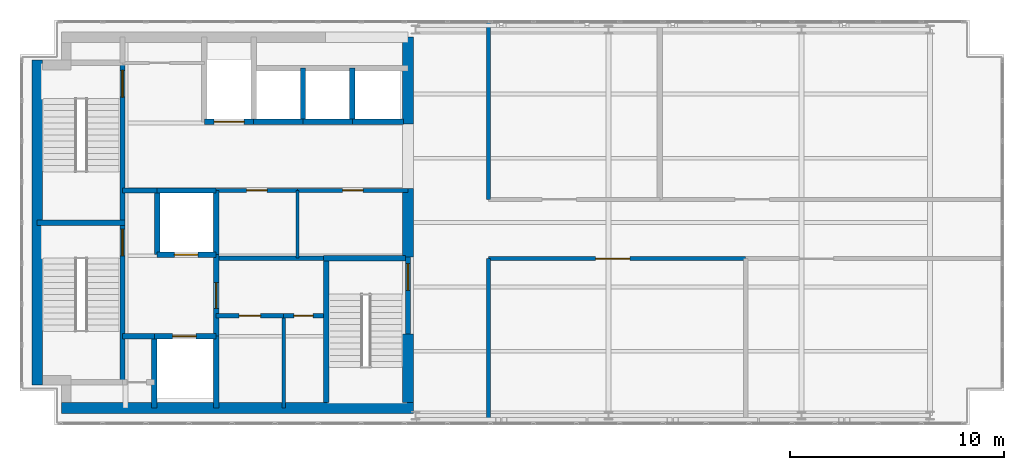
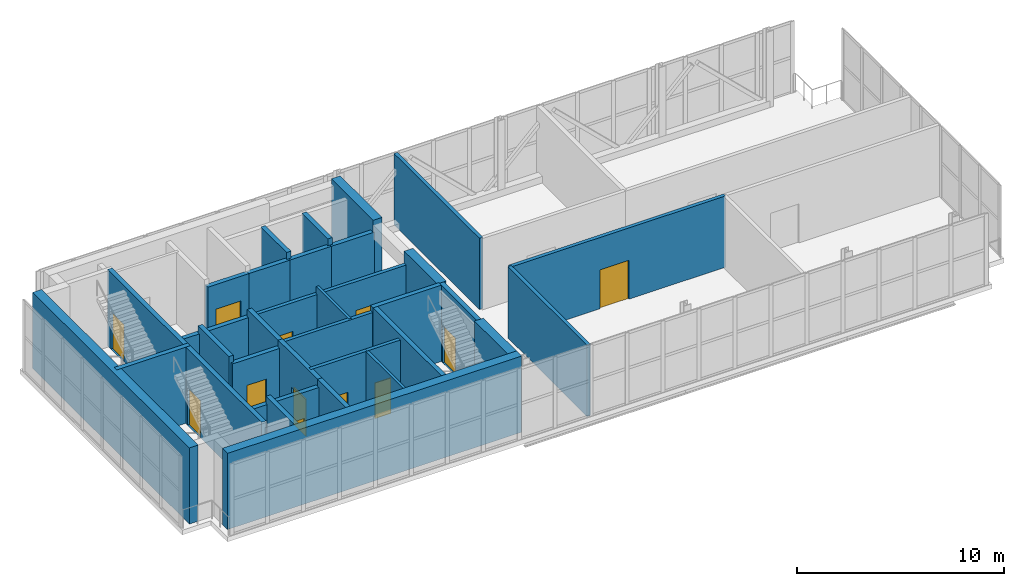
# One storey, part 18 of 21: 37 walls, 12 doors, 12 openings.
"""IFC4 building model written with IfcOpenShell, lengths in metres."""

from ifc_helpers import new_model, si_unit, direction, frame, frame_2d, origin, place, context, subcontext, project, spatial, rectangle, extrude, material, layer, layer_set, type_object, element, fill, save


model = new_model("IFC4")

# Units and contexts
model_context = context("Model", 3, precision=1e-05, world=origin(), true_north=direction((0.0, 1.0)))
body_context = subcontext(model_context, "Body", "Model", "MODEL_VIEW")
ifc_project = project(units=[si_unit("LENGTHUNIT", "METRE"), si_unit("AREAUNIT", "SQUARE_METRE"), si_unit("VOLUMEUNIT", "CUBIC_METRE"), si_unit("PLANEANGLEUNIT", "RADIAN"), si_unit("MASSUNIT", "GRAM", prefix="KILO")], contexts=[model_context])

# Site, building, storey
site_placement = place(None, origin())
site = spatial("IfcSite", under=ifc_project, at=site_placement, CompositionType="ELEMENT")
building_placement = place(site_placement, origin())
building = spatial("IfcBuilding", under=site, at=building_placement, Name="Mawjdan Bourse Tower", CompositionType="ELEMENT")
storey_placement = place(building_placement, frame((0.0, 0.0, 313.199951171875)))
storey = spatial("IfcBuildingStorey", under=building, at=storey_placement, Name="L77", CompositionType="ELEMENT", Elevation=313.199951171875)

# Wall, opening, door
ifc_material_1 = material(Name="Gypsum Fireboard Assembly")
ifc_layer_1 = layer(ifc_material_1, 0.199951171875)
ifc_layer_set_1 = layer_set([ifc_layer_1], Name="Gypsum Fireboard Assembly")
wall_type_1 = type_object("IfcWallType", Name="WL-CMP-200", PredefinedType="PARTITIONING", material=ifc_layer_set_1)
wall_1_placement = place(storey_placement, frame((14.699951171875, 7.659912109375, 0.0), z_axis=(0.0, 0.0, 1.0), x_axis=(1.0, 0.0, 0.0)))
wall_1 = element("IfcWall", 1, at=wall_1_placement, inside=storey, type_object=wall_type_1, Name="L77 Prayer & Quiet Reflection Room North Wall", PredefinedType="PARTITIONING", context=body_context, shape_type="SweptSolid", body=[
    extrude(rectangle(XDim=3.150146484375, YDim=0.199951171875, at=frame_2d((1.5751953125, 0.0))), origin(), (0.0, 0.0, 1.0), 4.2099609375),
])
opening_1_placement = place(wall_1_placement, frame((1.074951171875, 0.0, 0.0)))
opening_1 = element("IfcOpeningElement", 2, at=opening_1_placement, cuts=wall_1, Name="Opening D-L77-10", PredefinedType="OPENING", context=body_context, shape_type="SweptSolid", body=[
    extrude(rectangle(XDim=1.0, YDim=2.14990234375, at=frame_2d((0.5, 1.074951171875))), frame((0.0, 0.10986328125, 0.0), z_axis=(0.0, -1.0, 0.0), x_axis=(1.0, 0.0, 0.0)), (0.0, 0.0, 1.0), 0.219970703125),
])
ifc_material_2 = material(Name="Hardwood Acoustic Leaf", Category="wood")
door_type_1 = type_object("IfcDoorType", Name="DR-OFC-1000", OperationType="NOTDEFINED", PredefinedType="DOOR", material=ifc_material_2)
door_1_placement = place(opening_1_placement, origin())
door_1 = element("IfcDoor", 3, at=door_1_placement, inside=storey, type_object=door_type_1, Name="L77 Prayer & Quiet Reflection Room Door D-L77-10", OperationType="SINGLE_SWING_RIGHT", OverallHeight=2.14990234375, OverallWidth=1.0, PredefinedType="DOOR", context=body_context, shape_type="SweptSolid", body=[
    extrude(rectangle(XDim=1.0, YDim=2.14990234375, at=frame_2d((0.5, 1.074951171875))), frame((0.0, 0.02490234375, 0.0), z_axis=(0.0, -1.0, 0.0), x_axis=(1.0, 0.0, 0.0)), (0.0, 0.0, 1.0), 0.050048828125),
])
fill(opening_1, door_1)

wall_2_placement = place(storey_placement, frame((17.85009765625, 7.659912109375, 0.0), z_axis=(0.0, 0.0, 1.0), x_axis=(1.0, 0.0, 0.0)))
wall_2 = element("IfcWall", 4, at=wall_2_placement, inside=storey, type_object=wall_type_1, Name="L77 Electrical Switchboard Room North Wall", PredefinedType="PARTITIONING", context=body_context, shape_type="SweptSolid", body=[
    extrude(rectangle(XDim=1.849853515625, YDim=0.199951171875, at=frame_2d((0.9248046875, 0.0))), origin(), (0.0, 0.0, 1.0), 4.2099609375),
])
opening_2_placement = place(wall_2_placement, frame((0.47509765625, 0.0, 0.0)))
opening_2 = element("IfcOpeningElement", 5, at=opening_2_placement, cuts=wall_2, Name="Opening D-L77-11", PredefinedType="OPENING", context=body_context, shape_type="SweptSolid", body=[
    extrude(rectangle(XDim=0.89990234375, YDim=2.10009765625, at=frame_2d((0.449951171875, 1.050048828125))), frame((0.0, 0.10986328125, 0.0), z_axis=(0.0, -1.0, 0.0), x_axis=(1.0, 0.0, 0.0)), (0.0, 0.0, 1.0), 0.219970703125),
])
ifc_material_3 = material(Name="Fire-Rated Steel Access Leaf", Category="steel")
door_type_2 = type_object("IfcDoorType", Name="FD-RSR-0900", OperationType="NOTDEFINED", PredefinedType="TRAPDOOR", material=ifc_material_3)
door_2_placement = place(opening_2_placement, origin())
door_2 = element("IfcDoor", 6, at=door_2_placement, inside=storey, type_object=door_type_2, Name="L77 Electrical Switchboard Room Door D-L77-11", OperationType="SINGLE_SWING_LEFT", OverallHeight=2.10009765625, OverallWidth=0.89990234375, PredefinedType="TRAPDOOR", context=body_context, shape_type="SweptSolid", body=[
    extrude(rectangle(XDim=0.89990234375, YDim=2.10009765625, at=frame_2d((0.449951171875, 1.050048828125))), frame((0.0, 0.02490234375, 0.0), z_axis=(0.0, -1.0, 0.0), x_axis=(1.0, 0.0, 0.0)), (0.0, 0.0, 1.0), 0.050048828125),
])
fill(opening_2, door_2)

# Wall
wall_3_placement = place(storey_placement, frame((14.824951171875, 10.340087890625, 0.0), z_axis=(0.0, 0.0, 1.0), x_axis=(1.0, 0.0, 0.0)))
element("IfcWall", 7, at=wall_3_placement, inside=storey, type_object=wall_type_1, Name="L77 Core Restroom Suite South Wall", PredefinedType="PARTITIONING", context=body_context, shape_type="SweptSolid", body=[
    extrude(rectangle(XDim=4.880126953125, YDim=0.199951171875, at=frame_2d((2.43994140625, 0.0))), origin(), (0.0, 0.0, 1.0), 4.2099609375),
])

# Wall, opening, door
wall_4_placement = place(storey_placement, frame((14.699951171875, 13.5, 0.0), z_axis=(0.0, 0.0, 1.0), x_axis=(1.0, 0.0, 0.0)))
wall_4 = element("IfcWall", 8, at=wall_4_placement, inside=storey, type_object=wall_type_1, Name="L77 Accessible WC North Wall", PredefinedType="PARTITIONING", context=body_context, shape_type="SweptSolid", body=[
    extrude(rectangle(XDim=3.800048828125, YDim=0.199951171875, at=frame_2d((1.89990234375, 0.0))), origin(), (0.0, 0.0, 1.0), 3.802978515625),
])
opening_3_placement = place(wall_4_placement, frame((1.425048828125, 0.0, 0.0)))
opening_3 = element("IfcOpeningElement", 9, at=opening_3_placement, cuts=wall_4, Name="Opening D-L77-12", PredefinedType="OPENING", context=body_context, shape_type="SweptSolid", body=[
    extrude(rectangle(XDim=0.949951171875, YDim=2.10009765625, at=frame_2d((0.47509765625, 1.050048828125))), frame((0.0, 0.10986328125, 0.0), z_axis=(0.0, -1.0, 0.0), x_axis=(1.0, 0.0, 0.0)), (0.0, 0.0, 1.0), 0.219970703125),
])
ifc_material_4 = material(Name="Moisture-Resistant Laminate Timber", Category="wood")
door_type_3 = type_object("IfcDoorType", Name="DR-WET-0950", OperationType="NOTDEFINED", PredefinedType="DOOR", material=ifc_material_4)
door_3_placement = place(opening_3_placement, origin())
door_3 = element("IfcDoor", 10, at=door_3_placement, inside=storey, type_object=door_type_3, Name="L77 Accessible WC Door D-L77-12", OperationType="SINGLE_SWING_RIGHT", OverallHeight=2.10009765625, OverallWidth=0.949951171875, PredefinedType="DOOR", context=body_context, shape_type="SweptSolid", body=[
    extrude(rectangle(XDim=0.949951171875, YDim=2.10009765625, at=frame_2d((0.47509765625, 1.050048828125))), frame((0.0, 0.02490234375, 0.0), z_axis=(0.0, -1.0, 0.0), x_axis=(1.0, 0.0, 0.0)), (0.0, 0.0, 1.0), 0.050048828125),
])
fill(opening_3, door_3)

wall_5_placement = place(storey_placement, frame((18.5, 13.5, 0.0), z_axis=(0.0, 0.0, 1.0), x_axis=(1.0, 0.0, 0.0)))
wall_5 = element("IfcWall", 11, at=wall_5_placement, inside=storey, type_object=wall_type_1, Name="L77 Female Restroom North Wall", PredefinedType="PARTITIONING", context=body_context, shape_type="SweptSolid", body=[
    extrude(rectangle(XDim=5.14990234375, YDim=0.199951171875, at=frame_2d((2.574951171875, 0.0))), origin(), (0.0, 0.0, 1.0), 3.802978515625),
])
opening_4_placement = place(wall_5_placement, frame((2.10009765625, 0.0, 0.0)))
opening_4 = element("IfcOpeningElement", 12, at=opening_4_placement, cuts=wall_5, Name="Opening D-L77-13", PredefinedType="OPENING", context=body_context, shape_type="SweptSolid", body=[
    extrude(rectangle(XDim=0.949951171875, YDim=2.10009765625, at=frame_2d((0.47509765625, 1.050048828125))), frame((0.0, 0.10986328125, 0.0), z_axis=(0.0, -1.0, 0.0), x_axis=(1.0, 0.0, 0.0)), (0.0, 0.0, 1.0), 0.219970703125),
])
door_4_placement = place(opening_4_placement, origin())
door_4 = element("IfcDoor", 13, at=door_4_placement, inside=storey, type_object=door_type_3, Name="L77 Female Restroom Door D-L77-13", OperationType="SINGLE_SWING_LEFT", OverallHeight=2.10009765625, OverallWidth=0.949951171875, PredefinedType="DOOR", context=body_context, shape_type="SweptSolid", body=[
    extrude(rectangle(XDim=0.949951171875, YDim=2.10009765625, at=frame_2d((0.47509765625, 1.050048828125))), frame((0.0, 0.02490234375, 0.0), z_axis=(0.0, -1.0, 0.0), x_axis=(1.0, 0.0, 0.0)), (0.0, 0.0, 1.0), 0.050048828125),
])
fill(opening_4, door_4)

# Wall
wall_6_placement = place(storey_placement, frame((27.39990234375, 2.659912109375, 0.0), z_axis=(0.0, 0.0, 1.0), x_axis=(0.0, 1.0, 0.0)))
element("IfcWall", 14, at=wall_6_placement, inside=storey, type_object=wall_type_1, Name="L77 AHU West Vestibule Wall", PredefinedType="PARTITIONING", context=body_context, shape_type="SweptSolid", body=[
    extrude(rectangle(XDim=7.66015625, YDim=0.199951171875, at=frame_2d((3.830078125, 0.0))), origin(), (0.0, 0.0, 1.0), 4.2099609375),
])

# Wall, opening, door
wall_7_placement = place(storey_placement, frame((27.39990234375, 10.320068359375, 0.0), z_axis=(0.0, 0.0, 1.0), x_axis=(1.0, 0.0, 0.0)))
wall_7 = element("IfcWall", 15, at=wall_7_placement, inside=storey, type_object=wall_type_1, Name="L77 AHU Plant North Wall", PredefinedType="PARTITIONING", context=body_context, shape_type="SweptSolid", body=[
    extrude(rectangle(XDim=12.0, YDim=0.199951171875, at=frame_2d((6.0, 0.0))), origin(), (0.0, 0.0, 1.0), 4.2099609375),
])
opening_5_placement = place(wall_7_placement, frame((5.0, 0.0, 0.0)))
opening_5 = element("IfcOpeningElement", 16, at=opening_5_placement, cuts=wall_7, Name="Opening PD-L77-15", PredefinedType="OPENING", context=body_context, shape_type="SweptSolid", body=[
    extrude(rectangle(XDim=1.60009765625, YDim=2.300048828125, at=frame_2d((0.800048828125, 1.14990234375))), frame((0.0, 0.10986328125, 0.0), z_axis=(0.0, -1.0, 0.0), x_axis=(1.0, 0.0, 0.0)), (0.0, 0.0, 1.0), 0.219970703125),
])
ifc_material_5 = material(Name="Fire-Rated Acoustic Steel", Category="steel")
door_type_4 = type_object("IfcDoorType", Name="FD-PLT-1600", OperationType="DOUBLE_DOOR_SINGLE_SWING", PredefinedType="DOOR", material=ifc_material_5)
door_5_placement = place(opening_5_placement, origin())
door_5 = element("IfcDoor", 17, at=door_5_placement, inside=storey, type_object=door_type_4, Name="L77 AHU Plant Door PD-L77-15", OperationType="DOUBLE_DOOR_SINGLE_SWING", OverallHeight=2.300048828125, OverallWidth=1.60009765625, PredefinedType="DOOR", context=body_context, shape_type="SweptSolid", body=[
    extrude(rectangle(XDim=1.60009765625, YDim=2.300048828125, at=frame_2d((0.800048828125, 1.14990234375))), frame((0.0, 0.02490234375, 0.0), z_axis=(0.0, -1.0, 0.0), x_axis=(1.0, 0.0, 0.0)), (0.0, 0.0, 1.0), 0.050048828125),
])
fill(opening_5, door_5)

# Walls
wall_8_placement = place(storey_placement, frame((27.39990234375, 13.080078125, 0.0), z_axis=(0.0, 0.0, 1.0), x_axis=(0.0, 1.0, 0.0)))
element("IfcWall", 18, at=wall_8_placement, inside=storey, type_object=wall_type_1, Name="L77 Crown Plant West Wall", PredefinedType="PARTITIONING", context=body_context, shape_type="SweptSolid", body=[
    extrude(rectangle(XDim=8.260009765625, YDim=0.199951171875, at=frame_2d((4.1298828125, 0.0))), origin(), (0.0, 0.0, 1.0), 4.2099609375),
])
ifc_material_6 = material(Name="Concrete C60/75", Category="concrete")
ifc_layer_2 = layer(ifc_material_6, 0.5)
ifc_layer_set_2 = layer_set([ifc_layer_2], Name="Concrete C60/75")
wall_type_2 = type_object("IfcWallType", Name="WL-CORE-500", PredefinedType="SHEAR", material=ifc_layer_set_2)
wall_9_placement = place(storey_placement, frame((7.47509765625, 3.35009765625, 0.0), z_axis=(0.0, 0.0, 1.0), x_axis=(1.0, 0.0, 0.0)))
element("IfcWall", 19, at=wall_9_placement, inside=storey, type_object=wall_type_2, Name="L77 Rear Core Shear Wall S", PredefinedType="SHEAR", context=body_context, shape_type="SweptSolid", body=[
    extrude(rectangle(XDim=16.4248046875, YDim=0.5, at=frame_2d((8.21240234375, 0.0))), origin(), (0.0, 0.0, 1.0), 4.5),
])
wall_10_placement = place(storey_placement, frame((6.35009765625, 4.425048828125, 0.0), z_axis=(0.0, 0.0, 1.0), x_axis=(0.0, 1.0, 0.0)))
element("IfcWall", 20, at=wall_10_placement, inside=storey, type_object=wall_type_2, Name="L77 Rear Core Shear Wall W", PredefinedType="SHEAR", context=body_context, shape_type="SweptSolid", body=[
    extrude(rectangle(XDim=15.14990234375, YDim=0.5, at=frame_2d((7.574951171875, 0.0))), origin(), (0.0, 0.0, 1.0), 4.5),
])
wall_11_placement = place(storey_placement, frame((23.64990234375, 3.60009765625, 0.0), z_axis=(0.0, 0.0, 1.0), x_axis=(0.0, 1.0, 0.0)))
element("IfcWall", 21, at=wall_11_placement, inside=storey, type_object=wall_type_2, Name="L77 Rear Core Shear Wall E1", PredefinedType="SHEAR", context=body_context, shape_type="SweptSolid", body=[
    extrude(rectangle(XDim=3.199951171875, YDim=0.5, at=frame_2d((1.60009765625, 0.0))), origin(), (0.0, 0.0, 1.0), 4.5),
])
wall_12_placement = place(storey_placement, frame((23.64990234375, 10.39990234375, 0.0), z_axis=(0.0, 0.0, 1.0), x_axis=(0.0, 1.0, 0.0)))
element("IfcWall", 22, at=wall_12_placement, inside=storey, type_object=wall_type_2, Name="L77 Rear Core Shear Wall E2", PredefinedType="SHEAR", context=body_context, shape_type="SweptSolid", body=[
    extrude(rectangle(XDim=3.2001953125, YDim=0.5, at=frame_2d((1.60009765625, 0.0))), origin(), (0.0, 0.0, 1.0), 4.5),
])
wall_13_placement = place(storey_placement, frame((23.64990234375, 16.60009765625, 0.0), z_axis=(0.0, 0.0, 1.0), x_axis=(0.0, 1.0, 0.0)))
element("IfcWall", 23, at=wall_13_placement, inside=storey, type_object=wall_type_2, Name="L77 Rear Core Shear Wall E3", PredefinedType="SHEAR", context=body_context, shape_type="SweptSolid", body=[
    extrude(rectangle(XDim=4.0498046875, YDim=0.5, at=frame_2d((2.02490234375, 0.0))), origin(), (0.0, 0.0, 1.0), 4.5),
])
ifc_material_7 = material(Name="Gypsum Acoustic Partition")
ifc_layer_3 = layer(ifc_material_7, 0.14990234375)
ifc_layer_set_3 = layer_set([ifc_layer_3], Name="Gypsum Acoustic Partition")
wall_type_3 = type_object("IfcWallType", Name="WL-PRT-150", PredefinedType="PARTITIONING", material=ifc_layer_set_3)
wall_14_placement = place(storey_placement, frame((17.85009765625, 3.35009765625, 0.0), z_axis=(0.0, 0.0, 1.0), x_axis=(0.0, 1.0, 0.0)))
element("IfcWall", 24, at=wall_14_placement, inside=storey, type_object=wall_type_3, Name="L77 Electrical Switchboard Room Core Split Wall", PredefinedType="PARTITIONING", context=body_context, shape_type="SweptSolid", body=[
    extrude(rectangle(XDim=4.309814453125, YDim=0.14990234375, at=frame_2d((2.15478515625, 0.0))), origin(), (0.0, 0.0, 1.0), 4.2099609375),
])
wall_15_placement = place(storey_placement, frame((18.5, 10.340087890625, 0.0), z_axis=(0.0, 0.0, 1.0), x_axis=(0.0, 1.0, 0.0)))
element("IfcWall", 25, at=wall_15_placement, inside=storey, type_object=wall_type_3, Name="L77 Female Restroom Split Wall", PredefinedType="PARTITIONING", context=body_context, shape_type="SweptSolid", body=[
    extrude(rectangle(XDim=3.159912109375, YDim=0.14990234375, at=frame_2d((1.580078125, 0.0))), origin(), (0.0, 0.0, 1.0), 4.2099609375),
])
ifc_material_8 = material(Name="Concrete C50/60", Category="concrete")
ifc_layer_4 = layer(ifc_material_8, 0.25)
ifc_layer_set_4 = layer_set([ifc_layer_4], Name="Concrete C50/60")
wall_type_4 = type_object("IfcWallType", Name="WL-SHFT-250", PredefinedType="PARTITIONING", material=ifc_layer_set_4)
wall_16_placement = place(storey_placement, frame((11.820068359375, 3.35009765625, 0.0), z_axis=(0.0, 0.0, 1.0), x_axis=(0.0, 1.0, 0.0)))
element("IfcWall", 26, at=wall_16_placement, inside=storey, type_object=wall_type_4, Name="L77 SW Riser & FFL01 West Wall", PredefinedType="PARTITIONING", context=body_context, shape_type="SweptSolid", body=[
    extrude(rectangle(XDim=3.349853515625, YDim=0.25, at=frame_2d((1.6748046875, 0.0))), origin(), (0.0, 0.0, 1.0), 4.2099609375),
])

# Wall, opening, door
wall_17_placement = place(storey_placement, frame((11.820068359375, 6.699951171875, 0.0), z_axis=(0.0, 0.0, 1.0), x_axis=(1.0, 0.0, 0.0)))
wall_17 = element("IfcWall", 27, at=wall_17_placement, inside=storey, type_object=wall_type_4, Name="L77 FFL-01 Front Shaft Wall", PredefinedType="PARTITIONING", context=body_context, shape_type="SweptSolid", body=[
    extrude(rectangle(XDim=2.8798828125, YDim=0.25, at=frame_2d((1.43994140625, 0.0))), origin(), (0.0, 0.0, 1.0), 3.802978515625),
])
opening_6_placement = place(wall_17_placement, frame((0.85009765625, 0.0, 0.0)))
opening_6 = element("IfcOpeningElement", 28, at=opening_6_placement, cuts=wall_17, Name="Opening LD-L77-05", PredefinedType="OPENING", context=body_context, shape_type="SweptSolid", body=[
    extrude(rectangle(XDim=1.10009765625, YDim=2.25, at=frame_2d((0.550048828125, 1.125))), frame((0.0, 0.135009765625, 0.0), z_axis=(0.0, -1.0, 0.0), x_axis=(1.0, 0.0, 0.0)), (0.0, 0.0, 1.0), 0.27001953125),
])
ifc_material_9 = material(Name="Brushed Stainless Steel", Category="steel")
door_type_5 = type_object("IfcDoorType", Name="LD-FFL-1100", OperationType="DOUBLE_DOOR_SLIDING", PredefinedType="DOOR", material=ifc_material_9)
door_6_placement = place(opening_6_placement, origin())
door_6 = element("IfcDoor", 29, at=door_6_placement, inside=storey, type_object=door_type_5, Name="L77 Firefighting Lift FFL-01 Landing Door LD-L77-05", OperationType="DOUBLE_DOOR_SLIDING", OverallHeight=2.25, OverallWidth=1.10009765625, PredefinedType="DOOR", context=body_context, shape_type="SweptSolid", body=[
    extrude(rectangle(XDim=1.10009765625, YDim=2.25, at=frame_2d((0.550048828125, 1.125))), frame((0.0, 0.02490234375, 0.0), z_axis=(0.0, -1.0, 0.0), x_axis=(1.0, 0.0, 0.0)), (0.0, 0.0, 1.0), 0.050048828125),
])
fill(opening_6, door_6)

# Wall
wall_18_placement = place(storey_placement, frame((14.699951171875, 3.35009765625, 0.0), z_axis=(0.0, 0.0, 1.0), x_axis=(0.0, 1.0, 0.0)))
element("IfcWall", 30, at=wall_18_placement, inside=storey, type_object=wall_type_4, Name="L77 FFL-01 East Shaft Wall", PredefinedType="PARTITIONING", context=body_context, shape_type="SweptSolid", body=[
    extrude(rectangle(XDim=3.349853515625, YDim=0.25, at=frame_2d((1.6748046875, 0.0))), origin(), (0.0, 0.0, 1.0), 4.2099609375),
])

# Wall, opening, door
wall_19_placement = place(storey_placement, frame((11.949951171875, 10.5, 0.0), z_axis=(0.0, 0.0, 1.0), x_axis=(1.0, 0.0, 0.0)))
wall_19 = element("IfcWall", 31, at=wall_19_placement, inside=storey, type_object=wall_type_4, Name="L77 FFL-02 Front Shaft Wall", PredefinedType="PARTITIONING", context=body_context, shape_type="SweptSolid", body=[
    extrude(rectangle(XDim=2.75, YDim=0.25, at=frame_2d((1.375, 0.0))), origin(), (0.0, 0.0, 1.0), 3.802978515625),
])
opening_7_placement = place(wall_19_placement, frame((0.800048828125, 0.0, 0.0)))
opening_7 = element("IfcOpeningElement", 32, at=opening_7_placement, cuts=wall_19, Name="Opening LD-L77-06", PredefinedType="OPENING", context=body_context, shape_type="SweptSolid", body=[
    extrude(rectangle(XDim=1.10009765625, YDim=2.25, at=frame_2d((0.550048828125, 1.125))), frame((0.0, 0.135009765625, 0.0), z_axis=(0.0, -1.0, 0.0), x_axis=(1.0, 0.0, 0.0)), (0.0, 0.0, 1.0), 0.27001953125),
])
door_7_placement = place(opening_7_placement, origin())
door_7 = element("IfcDoor", 33, at=door_7_placement, inside=storey, type_object=door_type_5, Name="L77 Firefighting Lift FFL-02 Landing Door LD-L77-06", OperationType="DOUBLE_DOOR_SLIDING", OverallHeight=2.25, OverallWidth=1.10009765625, PredefinedType="DOOR", context=body_context, shape_type="SweptSolid", body=[
    extrude(rectangle(XDim=1.10009765625, YDim=2.25, at=frame_2d((0.550048828125, 1.125))), frame((0.0, 0.02490234375, 0.0), z_axis=(0.0, -1.0, 0.0), x_axis=(1.0, 0.0, 0.0)), (0.0, 0.0, 1.0), 0.050048828125),
])
fill(opening_7, door_7)

# Walls
wall_20_placement = place(storey_placement, frame((11.949951171875, 10.5, 0.0), z_axis=(0.0, 0.0, 1.0), x_axis=(0.0, 1.0, 0.0)))
element("IfcWall", 34, at=wall_20_placement, inside=storey, type_object=wall_type_4, Name="L77 FFL-02 West Shaft Wall", PredefinedType="PARTITIONING", context=body_context, shape_type="SweptSolid", body=[
    extrude(rectangle(XDim=3.0, YDim=0.25, at=frame_2d((1.5, 0.0))), origin(), (0.0, 0.0, 1.0), 4.2099609375),
])
wall_21_placement = place(storey_placement, frame((11.949951171875, 13.5, 0.0), z_axis=(0.0, 0.0, 1.0), x_axis=(1.0, 0.0, 0.0)))
element("IfcWall", 35, at=wall_21_placement, inside=storey, type_object=wall_type_4, Name="L77 FFL-02 North Shaft Wall", PredefinedType="PARTITIONING", context=body_context, shape_type="SweptSolid", body=[
    extrude(rectangle(XDim=2.75, YDim=0.25, at=frame_2d((1.375, 0.0))), origin(), (0.0, 0.0, 1.0), 3.802978515625),
])
wall_22_placement = place(storey_placement, frame((14.699951171875, 10.5, 0.0), z_axis=(0.0, 0.0, 1.0), x_axis=(0.0, 1.0, 0.0)))
element("IfcWall", 36, at=wall_22_placement, inside=storey, type_object=wall_type_4, Name="L77 FFL-02 East Shaft Wall", PredefinedType="PARTITIONING", context=body_context, shape_type="SweptSolid", body=[
    extrude(rectangle(XDim=3.0, YDim=0.25, at=frame_2d((1.5, 0.0))), origin(), (0.0, 0.0, 1.0), 4.2099609375),
])

# Wall, opening, door
wall_23_placement = place(storey_placement, frame((14.699951171875, 6.699951171875, 0.0), z_axis=(0.0, 0.0, 1.0), x_axis=(0.0, 1.0, 0.0)))
wall_23 = element("IfcWall", 37, at=wall_23_placement, inside=storey, type_object=wall_type_4, Name="L77 Firefighting Lobby East Compartment Wall", PredefinedType="PARTITIONING", context=body_context, shape_type="SweptSolid", body=[
    extrude(rectangle(XDim=3.800048828125, YDim=0.25, at=frame_2d((1.89990234375, 0.0))), origin(), (0.0, 0.0, 1.0), 4.2099609375),
])
opening_8_placement = place(wall_23_placement, frame((1.300048828125, 0.0, 0.0)))
opening_8 = element("IfcOpeningElement", 38, at=opening_8_placement, cuts=wall_23, Name="Opening FD-L77-07", PredefinedType="OPENING", context=body_context, shape_type="SweptSolid", body=[
    extrude(rectangle(XDim=1.199951171875, YDim=2.199951171875, at=frame_2d((0.60009765625, 1.10009765625))), frame((0.0, 0.135009765625, 0.0), z_axis=(0.0, -1.0, 0.0), x_axis=(1.0, 0.0, 0.0)), (0.0, 0.0, 1.0), 0.27001953125),
])
ifc_material_10 = material(Name="Fire-Rated Steel Leaf", Category="steel")
door_type_6 = type_object("IfcDoorType", Name="FD-FFL-1200", OperationType="NOTDEFINED", PredefinedType="DOOR", material=ifc_material_10)
door_8_placement = place(opening_8_placement, origin())
door_8 = element("IfcDoor", 39, at=door_8_placement, inside=storey, type_object=door_type_6, Name="L77 Firefighting Lobby East Smoke Door FD-L77-07", OperationType="SINGLE_SWING_RIGHT", OverallHeight=2.199951171875, OverallWidth=1.199951171875, PredefinedType="DOOR", context=body_context, shape_type="SweptSolid", body=[
    extrude(rectangle(XDim=1.199951171875, YDim=2.199951171875, at=frame_2d((0.60009765625, 1.10009765625))), frame((0.0, 0.02490234375, 0.0), z_axis=(0.0, -1.0, 0.0), x_axis=(1.0, 0.0, 0.0)), (0.0, 0.0, 1.0), 0.050048828125),
])
fill(opening_8, door_8)

# Walls
wall_24_placement = place(storey_placement, frame((10.330078125, 13.5, 0.0), z_axis=(0.0, 0.0, 1.0), x_axis=(1.0, 0.0, 0.0)))
element("IfcWall", 40, at=wall_24_placement, inside=storey, type_object=wall_type_4, Name="L77 Firefighting Lobby North Compartment Wall", PredefinedType="PARTITIONING", context=body_context, shape_type="SweptSolid", body=[
    extrude(rectangle(XDim=1.619873046875, YDim=0.25, at=frame_2d((0.81005859375, 0.0))), origin(), (0.0, 0.0, 1.0), 3.802978515625),
])
wall_25_placement = place(storey_placement, frame((10.330078125, 6.699951171875, 0.0), z_axis=(0.0, 0.0, 1.0), x_axis=(1.0, 0.0, 0.0)))
element("IfcWall", 41, at=wall_25_placement, inside=storey, type_object=wall_type_4, Name="L77 Firefighting Lobby South Closure Wall", PredefinedType="PARTITIONING", context=body_context, shape_type="SweptSolid", body=[
    extrude(rectangle(XDim=1.489990234375, YDim=0.25, at=frame_2d((0.7451171875, 0.0))), origin(), (0.0, 0.0, 1.0), 3.802978515625),
])

# Wall, opening, door
wall_26_placement = place(storey_placement, frame((14.14990234375, 16.699951171875, 0.0), z_axis=(0.0, 0.0, 1.0), x_axis=(1.0, 0.0, 0.0)))
wall_26 = element("IfcWall", 42, at=wall_26_placement, inside=storey, type_object=wall_type_4, Name="L77 SVL-01 Front Shaft Wall", PredefinedType="PARTITIONING", context=body_context, shape_type="SweptSolid", body=[
    extrude(rectangle(XDim=2.300048828125, YDim=0.25, at=frame_2d((1.14990234375, 0.0))), origin(), (0.0, 0.0, 1.0), 3.802978515625),
])
opening_9_placement = place(wall_26_placement, frame((0.449951171875, 0.0, 0.0)))
opening_9 = element("IfcOpeningElement", 43, at=opening_9_placement, cuts=wall_26, Name="Opening LD-L77-09", PredefinedType="OPENING", context=body_context, shape_type="SweptSolid", body=[
    extrude(rectangle(XDim=1.39990234375, YDim=2.35009765625, at=frame_2d((0.699951171875, 1.175048828125))), frame((0.0, 0.135009765625, 0.0), z_axis=(0.0, -1.0, 0.0), x_axis=(1.0, 0.0, 0.0)), (0.0, 0.0, 1.0), 0.27001953125),
])
ifc_material_11 = material(Name="Heavy-Duty Stainless Steel", Category="steel")
door_type_7 = type_object("IfcDoorType", Name="LD-SRV-1400", OperationType="DOUBLE_DOOR_SLIDING", PredefinedType="DOOR", material=ifc_material_11)
door_9_placement = place(opening_9_placement, origin())
door_9 = element("IfcDoor", 44, at=door_9_placement, inside=storey, type_object=door_type_7, Name="L77 Service Lift SVL-01 Landing Door LD-L77-09", OperationType="DOUBLE_DOOR_SLIDING", OverallHeight=2.35009765625, OverallWidth=1.39990234375, PredefinedType="DOOR", context=body_context, shape_type="SweptSolid", body=[
    extrude(rectangle(XDim=1.39990234375, YDim=2.35009765625, at=frame_2d((0.699951171875, 1.175048828125))), frame((0.0, 0.02490234375, 0.0), z_axis=(0.0, -1.0, 0.0), x_axis=(1.0, 0.0, 0.0)), (0.0, 0.0, 1.0), 0.050048828125),
])
fill(opening_9, door_9)

# Walls
wall_27_placement = place(storey_placement, frame((16.449951171875, 16.699951171875, 0.0), z_axis=(0.0, 0.0, 1.0), x_axis=(1.0, 0.0, 0.0)))
element("IfcWall", 45, at=wall_27_placement, inside=storey, type_object=wall_type_4, Name="L77 PH-01 Front Wall", PredefinedType="PARTITIONING", context=body_context, shape_type="SweptSolid", body=[
    extrude(rectangle(XDim=2.300048828125, YDim=0.25, at=frame_2d((1.14990234375, 0.0))), origin(), (0.0, 0.0, 1.0), 3.802978515625),
])
wall_28_placement = place(storey_placement, frame((18.75, 16.699951171875, 0.0), z_axis=(0.0, 0.0, 1.0), x_axis=(0.0, 1.0, 0.0)))
element("IfcWall", 46, at=wall_28_placement, inside=storey, type_object=wall_type_4, Name="L77 PH-01 Divider Wall", PredefinedType="PARTITIONING", context=body_context, shape_type="SweptSolid", body=[
    extrude(rectangle(XDim=2.5, YDim=0.25, at=frame_2d((1.25, 0.0))), origin(), (0.0, 0.0, 1.0), 4.2099609375),
])
wall_29_placement = place(storey_placement, frame((18.75, 16.699951171875, 0.0), z_axis=(0.0, 0.0, 1.0), x_axis=(1.0, 0.0, 0.0)))
element("IfcWall", 47, at=wall_29_placement, inside=storey, type_object=wall_type_4, Name="L77 PH-02 Front Wall", PredefinedType="PARTITIONING", context=body_context, shape_type="SweptSolid", body=[
    extrude(rectangle(XDim=2.300048828125, YDim=0.25, at=frame_2d((1.14990234375, 0.0))), origin(), (0.0, 0.0, 1.0), 3.802978515625),
])
wall_30_placement = place(storey_placement, frame((21.050048828125, 16.699951171875, 0.0), z_axis=(0.0, 0.0, 1.0), x_axis=(0.0, 1.0, 0.0)))
element("IfcWall", 48, at=wall_30_placement, inside=storey, type_object=wall_type_4, Name="L77 PH-02 Divider Wall", PredefinedType="PARTITIONING", context=body_context, shape_type="SweptSolid", body=[
    extrude(rectangle(XDim=2.5, YDim=0.25, at=frame_2d((1.25, 0.0))), origin(), (0.0, 0.0, 1.0), 4.2099609375),
])
wall_31_placement = place(storey_placement, frame((21.050048828125, 16.699951171875, 0.0), z_axis=(0.0, 0.0, 1.0), x_axis=(1.0, 0.0, 0.0)))
element("IfcWall", 49, at=wall_31_placement, inside=storey, type_object=wall_type_4, Name="L77 PH-03 Front Wall", PredefinedType="PARTITIONING", context=body_context, shape_type="SweptSolid", body=[
    extrude(rectangle(XDim=2.39990234375, YDim=0.25, at=frame_2d((1.199951171875, 0.0))), origin(), (0.0, 0.0, 1.0), 3.802978515625),
])
ifc_layer_5 = layer(ifc_material_8, 0.25)
ifc_layer_set_5 = layer_set([ifc_layer_5], Name="Concrete C50/60")
wall_type_5 = type_object("IfcWallType", Name="WL-STRW-250", PredefinedType="SHEAR", material=ifc_layer_set_5)
wall_32_placement = place(storey_placement, frame((6.35009765625, 12.0, 0.0), z_axis=(0.0, 0.0, 1.0), x_axis=(1.0, 0.0, 0.0)))
element("IfcWall", 50, at=wall_32_placement, inside=storey, type_object=wall_type_5, Name="L77 Stairwell Dividing Shaft Wall", PredefinedType="SHEAR", context=body_context, shape_type="SweptSolid", body=[
    extrude(rectangle(XDim=4.10498046875, YDim=0.25, at=frame_2d((2.052490234375, 0.0))), origin(), (0.0, 0.0, 1.0), 4.5),
])

# Wall, opening, door
wall_33_placement = place(storey_placement, frame((10.330078125, 4.550048828125, 0.0), z_axis=(0.0, 0.0, 1.0), x_axis=(0.0, 1.0, 0.0)))
wall_33 = element("IfcWall", 51, at=wall_33_placement, inside=storey, type_object=wall_type_5, Name="L77 Stairwell ST1 East Enclosure Wall", PredefinedType="SHEAR", context=body_context, shape_type="SweptSolid", body=[
    extrude(rectangle(XDim=7.449951171875, YDim=0.25, at=frame_2d((3.72509765625, 0.0))), origin(), (0.0, 0.0, 1.0), 4.5),
])
opening_10_placement = place(wall_33_placement, frame((5.89990234375, 0.0, 0.0)))
opening_10 = element("IfcOpeningElement", 52, at=opening_10_placement, cuts=wall_33, Name="Opening SD-L77-01", PredefinedType="OPENING", context=body_context, shape_type="SweptSolid", body=[
    extrude(rectangle(XDim=1.25, YDim=2.199951171875, at=frame_2d((0.625, 1.10009765625))), frame((0.0, 0.135009765625, 0.0), z_axis=(0.0, -1.0, 0.0), x_axis=(1.0, 0.0, 0.0)), (0.0, 0.0, 1.0), 0.27001953125),
])
door_type_8 = type_object("IfcDoorType", Name="FD-ST-1250", OperationType="NOTDEFINED", PredefinedType="DOOR", material=ifc_material_10)
door_10_placement = place(opening_10_placement, origin())
door_10 = element("IfcDoor", 53, at=door_10_placement, inside=storey, type_object=door_type_8, Name="L77 Exit Stair ST1 Fire Door SD-L77-01", OperationType="SINGLE_SWING_RIGHT", OverallHeight=2.199951171875, OverallWidth=1.25, PredefinedType="DOOR", context=body_context, shape_type="SweptSolid", body=[
    extrude(rectangle(XDim=1.25, YDim=2.199951171875, at=frame_2d((0.625, 1.10009765625))), frame((0.0, 0.02490234375, 0.0), z_axis=(0.0, -1.0, 0.0), x_axis=(1.0, 0.0, 0.0)), (0.0, 0.0, 1.0), 0.050048828125),
])
fill(opening_10, door_10)

wall_34_placement = place(storey_placement, frame((10.330078125, 12.0, 0.0), z_axis=(0.0, 0.0, 1.0), x_axis=(0.0, 1.0, 0.0)))
wall_34 = element("IfcWall", 54, at=wall_34_placement, inside=storey, type_object=wall_type_5, Name="L77 Stairwell ST2 East Enclosure Wall", PredefinedType="SHEAR", context=body_context, shape_type="SweptSolid", body=[
    extrude(rectangle(XDim=7.449951171875, YDim=0.25, at=frame_2d((3.72509765625, 0.0))), origin(), (0.0, 0.0, 1.0), 4.5),
])
opening_11_placement = place(wall_34_placement, frame((5.85009765625, 0.0, 0.0)))
opening_11 = element("IfcOpeningElement", 55, at=opening_11_placement, cuts=wall_34, Name="Opening SD-L77-02", PredefinedType="OPENING", context=body_context, shape_type="SweptSolid", body=[
    extrude(rectangle(XDim=1.25, YDim=2.199951171875, at=frame_2d((0.625, 1.10009765625))), frame((0.0, 0.135009765625, 0.0), z_axis=(0.0, -1.0, 0.0), x_axis=(1.0, 0.0, 0.0)), (0.0, 0.0, 1.0), 0.27001953125),
])
door_11_placement = place(opening_11_placement, origin())
door_11 = element("IfcDoor", 56, at=door_11_placement, inside=storey, type_object=door_type_8, Name="L77 Exit Stair ST2 Fire Door SD-L77-02", OperationType="SINGLE_SWING_LEFT", OverallHeight=2.199951171875, OverallWidth=1.25, PredefinedType="DOOR", context=body_context, shape_type="SweptSolid", body=[
    extrude(rectangle(XDim=1.25, YDim=2.199951171875, at=frame_2d((0.625, 1.10009765625))), frame((0.0, 0.02490234375, 0.0), z_axis=(0.0, -1.0, 0.0), x_axis=(1.0, 0.0, 0.0)), (0.0, 0.0, 1.0), 0.050048828125),
])
fill(opening_11, door_11)

# Walls
wall_35_placement = place(storey_placement, frame((19.830078125, 3.60009765625, 0.0), z_axis=(0.0, 0.0, 1.0), x_axis=(0.0, 1.0, 0.0)))
element("IfcWall", 57, at=wall_35_placement, inside=storey, type_object=wall_type_5, Name="L77 ST7 West Shaft Wall", PredefinedType="SHEAR", context=body_context, shape_type="SweptSolid", body=[
    extrude(rectangle(XDim=6.739990234375, YDim=0.25, at=frame_2d((3.3701171875, 0.0))), origin(), (0.0, 0.0, 1.0), 4.5),
])
wall_36_placement = place(storey_placement, frame((19.705078125, 10.340087890625, 0.0), z_axis=(0.0, 0.0, 1.0), x_axis=(1.0, 0.0, 0.0)))
element("IfcWall", 58, at=wall_36_placement, inside=storey, type_object=wall_type_5, Name="L77 ST7 North Shaft Wall", PredefinedType="SHEAR", context=body_context, shape_type="SweptSolid", body=[
    extrude(rectangle(XDim=3.81982421875, YDim=0.25, at=frame_2d((1.909912109375, 0.0))), origin(), (0.0, 0.0, 1.0), 4.5),
])

# Wall, opening, door
wall_37_placement = place(storey_placement, frame((23.64990234375, 6.800048828125, 0.0), z_axis=(0.0, 0.0, 1.0), x_axis=(0.0, 1.0, 0.0)))
wall_37 = element("IfcWall", 59, at=wall_37_placement, inside=storey, type_object=wall_type_5, Name="L77 ST7 East Shaft Wall", PredefinedType="SHEAR", context=body_context, shape_type="SweptSolid", body=[
    extrude(rectangle(XDim=3.599853515625, YDim=0.25, at=frame_2d((1.7998046875, 0.0))), origin(), (0.0, 0.0, 1.0), 4.5),
])
opening_12_placement = place(wall_37_placement, frame((2.0400390625, 0.0, 0.0)))
opening_12 = element("IfcOpeningElement", 60, at=opening_12_placement, cuts=wall_37, Name="Opening SD-L77-19", PredefinedType="OPENING", context=body_context, shape_type="SweptSolid", body=[
    extrude(rectangle(XDim=1.25, YDim=2.199951171875, at=frame_2d((0.625, 1.10009765625))), frame((0.0, 0.135009765625, 0.0), z_axis=(0.0, -1.0, 0.0), x_axis=(1.0, 0.0, 0.0)), (0.0, 0.0, 1.0), 0.27001953125),
])
door_12_placement = place(opening_12_placement, origin())
door_12 = element("IfcDoor", 61, at=door_12_placement, inside=storey, type_object=door_type_8, Name="L77 Stair ST7 Fire Door SD-L77-19", OperationType="SINGLE_SWING_LEFT", OverallHeight=2.199951171875, OverallWidth=1.25, PredefinedType="DOOR", context=body_context, shape_type="SweptSolid", body=[
    extrude(rectangle(XDim=1.25, YDim=2.199951171875, at=frame_2d((0.625, 1.10009765625))), frame((0.0, 0.02490234375, 0.0), z_axis=(0.0, -1.0, 0.0), x_axis=(1.0, 0.0, 0.0)), (0.0, 0.0, 1.0), 0.050048828125),
])
fill(opening_12, door_12)

save(model, "model.ifc")
